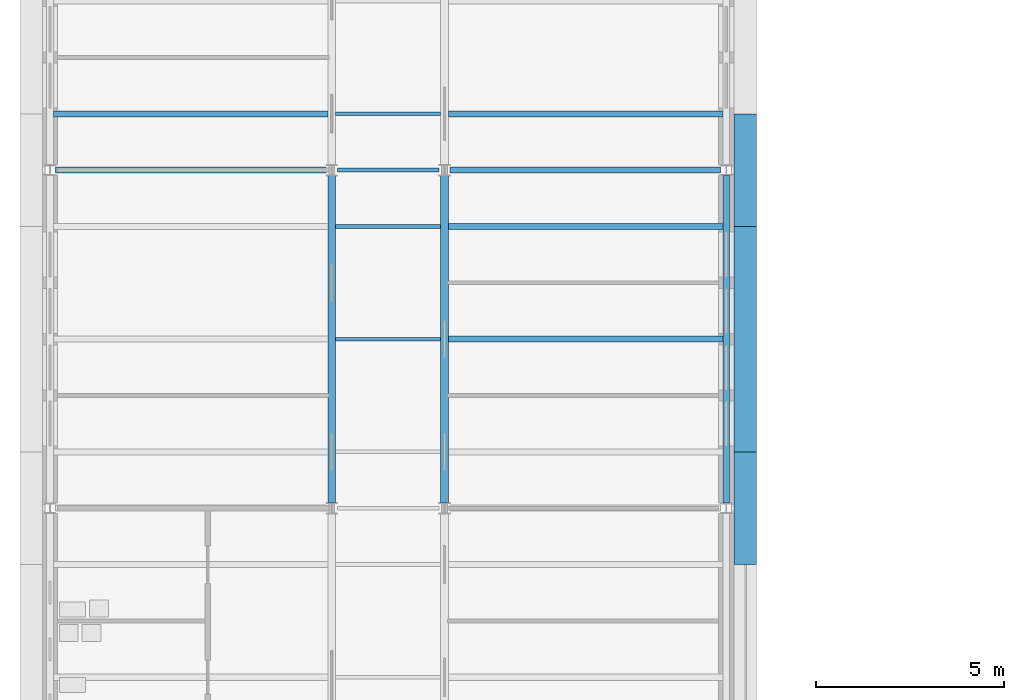
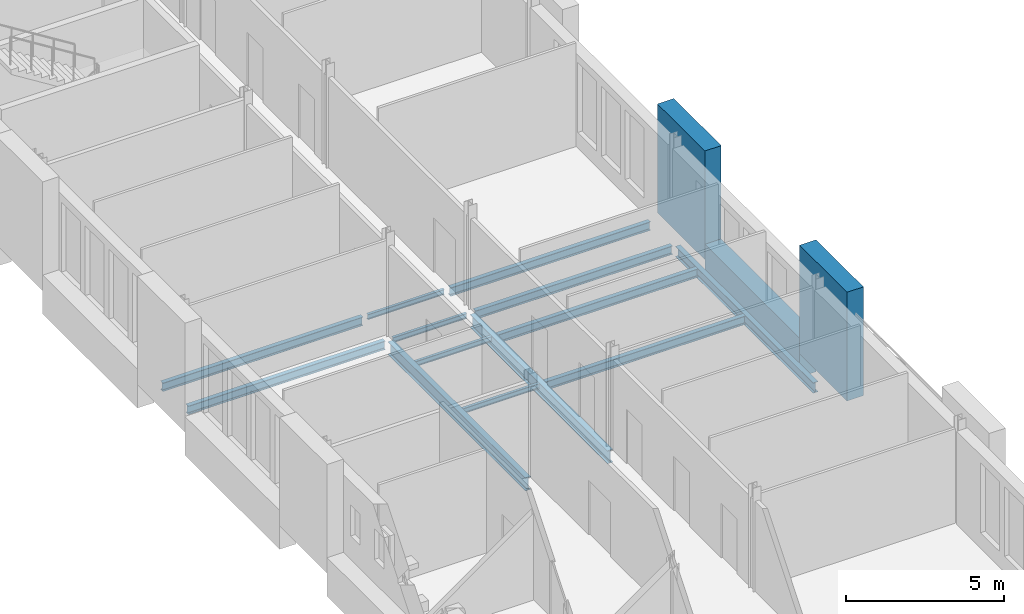
# One storey, part 19 of 154: 14 beams, 2 members.
"""IFC4 building model written with IfcOpenShell, lengths in metres."""

from ifc_helpers import new_model, si_unit, direction, frame, origin, origin_2d, place, context, subcontext, project, spatial, rectangle, i_section, extrude, material, material_profile, profile_set, type_object, element, save


model = new_model("IFC4")

# Units and contexts
model_context = context("Model", 3, precision=1e-05, world=origin(), true_north=direction((0.0, 1.0)))
body_context = subcontext(model_context, "Body", "Model", "MODEL_VIEW")
ifc_project = project(units=[si_unit("LENGTHUNIT", "METRE"), si_unit("AREAUNIT", "SQUARE_METRE"), si_unit("VOLUMEUNIT", "CUBIC_METRE"), si_unit("PLANEANGLEUNIT", "RADIAN"), si_unit("MASSUNIT", "GRAM", prefix="KILO")], contexts=[model_context])

# Site, building, storey
site_placement = place(None, origin())
site = spatial("IfcSite", under=ifc_project, at=site_placement, CompositionType="ELEMENT")
building_placement = place(site_placement, origin())
building = spatial("IfcBuilding", under=site, at=building_placement, Name="Golden Quay Civic Hall", CompositionType="ELEMENT")
storey_placement = place(building_placement, frame((0.0, 0.0, 14.39990234375)))
storey = spatial("IfcBuildingStorey", under=building, at=storey_placement, Name="L03", CompositionType="ELEMENT", Elevation=14.39990234375)

# Members
ifc_material_1 = material(Name="Concrete C40/50", Category="concrete")
ifc_material_profile_1 = material_profile(ifc_material_1, rectangle(XDim=3.0, YDim=0.60009765625, at=origin_2d()), Name="RC 3000x600")
ifc_profile_set_1 = profile_set([ifc_material_profile_1], Name="Concrete C40/50")
member_type = type_object("IfcMemberType", Name="Precast concrete facade pier 3000 x 600", PredefinedType="POST", material=ifc_profile_set_1)
for number, where, z_axis, x_axis, name in (
    (1, (18.5, 9.0, 0.0), (0.0, 0.0, 1.0), (0.0, 1.0, 0.0), "Precast concrete facade pier 3000 x 600 L03 12"),
    (2, (18.5, 18.0, 0.0), (0.0, 0.0, 1.0), (0.0, 1.0, 0.0), "Precast concrete facade pier 3000 x 600 L03 13"),
):
    element("IfcMember", number, at=place(storey_placement, frame(where, z_axis=z_axis, x_axis=x_axis)), inside=storey, type_object=member_type, Name=name, PredefinedType="POST", context=body_context, shape_type="SweptSolid", body=[
        extrude(rectangle(XDim=3.0, YDim=0.60009765625, at=origin_2d()), origin(), (0.0, 0.0, 1.0), 4.2001953125),
    ])

# Beams
ifc_material_2 = material(Name="Concrete C40/50", Category="concrete")
ifc_material_profile_2 = material_profile(ifc_material_2, rectangle(XDim=0.60009765625, YDim=1.5, at=origin_2d()), Name="RC 600x1500")
ifc_profile_set_2 = profile_set([ifc_material_profile_2], Name="Concrete C40/50")
beam_type_1 = type_object("IfcBeamType", Name="Precast concrete spandrel beam 600 x 1500", PredefinedType="SPANDREL", material=ifc_profile_set_2)
beam_1_placement = place(storey_placement, frame((18.5, 10.5, -0.14990234375), z_axis=(0.0, 1.0, 0.0), x_axis=(-1.0, 0.0, 0.0)))
element("IfcBeam", 3, at=beam_1_placement, inside=storey, type_object=beam_type_1, Name="Precast concrete spandrel beam 600 x 1500 L03 18", PredefinedType="SPANDREL", context=body_context, shape_type="SweptSolid", body=[
    extrude(rectangle(XDim=0.60009765625, YDim=1.5, at=origin_2d()), origin(), (0.0, 0.0, 1.0), 6.0),
])
ifc_material_3 = material(Name="Steel S355", Category="steel")
ifc_material_profile_3 = material_profile(ifc_material_3, i_section(OverallWidth=0.10009765625, OverallDepth=0.199951171875, WebThickness=0.005615234375, FlangeThickness=0.008544921875, FilletRadius=0.011962890625, at=origin_2d()), Name="IPE 200")
ifc_profile_set_3 = profile_set([ifc_material_profile_3], Name="Steel S355")
beam_type_2 = type_object("IfcBeamType", Name="Steel beam IPE 200", PredefinedType="BEAM", material=ifc_profile_set_3)
beam_2_placement = place(storey_placement, frame((7.64990234375, 18.0, -0.2998046875), z_axis=(1.0, 0.0, 0.0), x_axis=(0.0, 1.0, 0.0)))
element("IfcBeam", 4, at=beam_2_placement, inside=storey, type_object=beam_type_2, Name="Beam S18-7.5", PredefinedType="BEAM", context=body_context, shape_type="SweptSolid", body=[
    extrude(i_section(OverallWidth=0.10009765625, OverallDepth=0.199951171875, WebThickness=0.005615234375, FlangeThickness=0.008544921875, FilletRadius=0.011962890625, at=origin_2d()), origin(), (0.0, 0.0, 1.0), 2.7001953125),
])
ifc_material_4 = material(Name="Steel S355", Category="steel")
ifc_material_profile_4 = material_profile(ifc_material_4, i_section(OverallWidth=0.159912109375, OverallDepth=0.330078125, WebThickness=0.007568359375, FlangeThickness=0.011474609375, FilletRadius=0.01806640625, at=origin_2d()), Name="IPE 330")
ifc_profile_set_4 = profile_set([ifc_material_profile_4], Name="Steel S355")
beam_type_3 = type_object("IfcBeamType", Name="Steel beam IPE 330", PredefinedType="BEAM", material=ifc_profile_set_4)
for number, where, z_axis, x_axis, name in (
    (5, (0.14990234375, 18.0, -0.364990234375), (1.0, 0.0, 0.0), (0.0, 1.0, 0.0), "Beam S18-0"),
    (6, (10.64990234375, 18.0, -0.364990234375), (1.0, 0.0, 0.0), (0.0, 1.0, 0.0), "Beam S18-10.5"),
):
    element("IfcBeam", number, at=place(storey_placement, frame(where, z_axis=z_axis, x_axis=x_axis)), inside=storey, type_object=beam_type_3, Name=name, PredefinedType="BEAM", context=body_context, shape_type="SweptSolid", body=[
        extrude(i_section(OverallWidth=0.159912109375, OverallDepth=0.330078125, WebThickness=0.007568359375, FlangeThickness=0.011474609375, FilletRadius=0.01806640625, at=origin_2d()), origin(), (0.0, 0.0, 1.0), 7.2001953125),
    ])
ifc_material_5 = material(Name="Steel S355", Category="steel")
ifc_material_profile_5 = material_profile(ifc_material_5, i_section(OverallWidth=0.179931640625, OverallDepth=0.39990234375, WebThickness=0.008544921875, FlangeThickness=0.013427734375, FilletRadius=0.02099609375, at=origin_2d()), Name="IPE 400")
ifc_profile_set_5 = profile_set([ifc_material_profile_5], Name="Steel S355")
beam_type_4 = type_object("IfcBeamType", Name="Steel beam IPE 400", PredefinedType="BEAM", material=ifc_profile_set_5)
beam_3_placement = place(storey_placement, frame((18.0, 9.14501953125, -0.39990234375), z_axis=(0.0, 1.0, 0.0), x_axis=(-1.0, 0.0, 0.0)))
element("IfcBeam", 7, at=beam_3_placement, inside=storey, type_object=beam_type_4, Name="Beam L18-9", PredefinedType="BEAM", context=body_context, shape_type="SweptSolid", body=[
    extrude(i_section(OverallWidth=0.179931640625, OverallDepth=0.39990234375, WebThickness=0.008544921875, FlangeThickness=0.013427734375, FilletRadius=0.02099609375, at=origin_2d()), origin(), (0.0, 0.0, 1.0), 8.7099609375),
])
ifc_material_6 = material(Name="Steel S355", Category="steel")
ifc_material_profile_6 = material_profile(ifc_material_6, i_section(OverallWidth=0.199951171875, OverallDepth=0.5, WebThickness=0.01025390625, FlangeThickness=0.01611328125, FilletRadius=0.02099609375, at=origin_2d()), Name="IPE 500")
ifc_profile_set_6 = profile_set([ifc_material_profile_6], Name="Steel S355")
beam_type_5 = type_object("IfcBeamType", Name="Steel beam IPE 500", PredefinedType="BEAM", material=ifc_profile_set_6)
for number, where, z_axis, x_axis, name in (
    (8, (7.5, 9.14990234375, -0.449951171875), (0.0, 1.0, 0.0), (-1.0, 0.0, 0.0), "Beam L7.5-9"),
    (9, (10.5, 9.14990234375, -0.449951171875), (0.0, 1.0, 0.0), (-1.0, 0.0, 0.0), "Beam L10.5-9"),
):
    element("IfcBeam", number, at=place(storey_placement, frame(where, z_axis=z_axis, x_axis=x_axis)), inside=storey, type_object=beam_type_5, Name=name, PredefinedType="BEAM", context=body_context, shape_type="SweptSolid", body=[
        extrude(i_section(OverallWidth=0.199951171875, OverallDepth=0.5, WebThickness=0.01025390625, FlangeThickness=0.01611328125, FilletRadius=0.02099609375, at=origin_2d()), origin(), (0.0, 0.0, 1.0), 8.7001953125),
    ])
ifc_material_7 = material(Name="Steel S355", Category="steel")
ifc_material_profile_7 = material_profile(ifc_material_7, i_section(OverallWidth=0.10009765625, OverallDepth=0.199951171875, WebThickness=0.005615234375, FlangeThickness=0.008544921875, FilletRadius=0.011962890625, at=origin_2d()), Name="IPE 200")
ifc_profile_set_7 = profile_set([ifc_material_profile_7], Name="Steel S355")
beam_type_6 = type_object("IfcBeamType", Name="Steel joist IPE 200", PredefinedType="JOIST", material=ifc_profile_set_7)
for number, where, z_axis, x_axis, name in (
    (10, (7.60009765625, 13.5, -0.2998046875), (1.0, 0.0, 0.0), (0.0, 1.0, 0.0), "Joist J13.5-7.5"),
    (11, (7.60009765625, 16.5, -0.2998046875), (1.0, 0.0, 0.0), (0.0, 1.0, 0.0), "Joist J16.5-7.5"),
    (12, (7.60009765625, 19.5, -0.2998046875), (1.0, 0.0, 0.0), (0.0, 1.0, 0.0), "Joist J19.5-7.5"),
):
    element("IfcBeam", number, at=place(storey_placement, frame(where, z_axis=z_axis, x_axis=x_axis)), inside=storey, type_object=beam_type_6, Name=name, PredefinedType="JOIST", context=body_context, shape_type="SweptSolid", body=[
        extrude(i_section(OverallWidth=0.10009765625, OverallDepth=0.199951171875, WebThickness=0.005615234375, FlangeThickness=0.008544921875, FilletRadius=0.011962890625, at=origin_2d()), origin(), (0.0, 0.0, 1.0), 2.7998046875),
    ])
ifc_material_8 = material(Name="Steel S355", Category="steel")
ifc_material_profile_8 = material_profile(ifc_material_8, i_section(OverallWidth=0.159912109375, OverallDepth=0.330078125, WebThickness=0.007568359375, FlangeThickness=0.011474609375, FilletRadius=0.01806640625, at=origin_2d()), Name="IPE 330")
ifc_profile_set_8 = profile_set([ifc_material_profile_8], Name="Steel S355")
beam_type_7 = type_object("IfcBeamType", Name="Steel joist IPE 330", PredefinedType="JOIST", material=ifc_profile_set_8)
for number, where, z_axis, x_axis, name in (
    (13, (10.60009765625, 13.5, -0.364990234375), (1.0, 0.0, 0.0), (0.0, 1.0, 0.0), "Joist J13.5-10.5"),
    (14, (10.60009765625, 16.5, -0.364990234375), (1.0, 0.0, 0.0), (0.0, 1.0, 0.0), "Joist J16.5-10.5"),
    (15, (0.090087890625, 19.5, -0.364990234375), (1.0, 0.0, 0.0), (0.0, 1.0, 0.0), "Joist J19.5-0"),
    (16, (10.60009765625, 19.5, -0.364990234375), (1.0, 0.0, 0.0), (0.0, 1.0, 0.0), "Joist J19.5-10.5"),
):
    element("IfcBeam", number, at=place(storey_placement, frame(where, z_axis=z_axis, x_axis=x_axis)), inside=storey, type_object=beam_type_7, Name=name, PredefinedType="JOIST", context=body_context, shape_type="SweptSolid", body=[
        extrude(i_section(OverallWidth=0.159912109375, OverallDepth=0.330078125, WebThickness=0.007568359375, FlangeThickness=0.011474609375, FilletRadius=0.01806640625, at=origin_2d()), origin(), (0.0, 0.0, 1.0), 7.309814453125),
    ])

save(model, "model.ifc")
